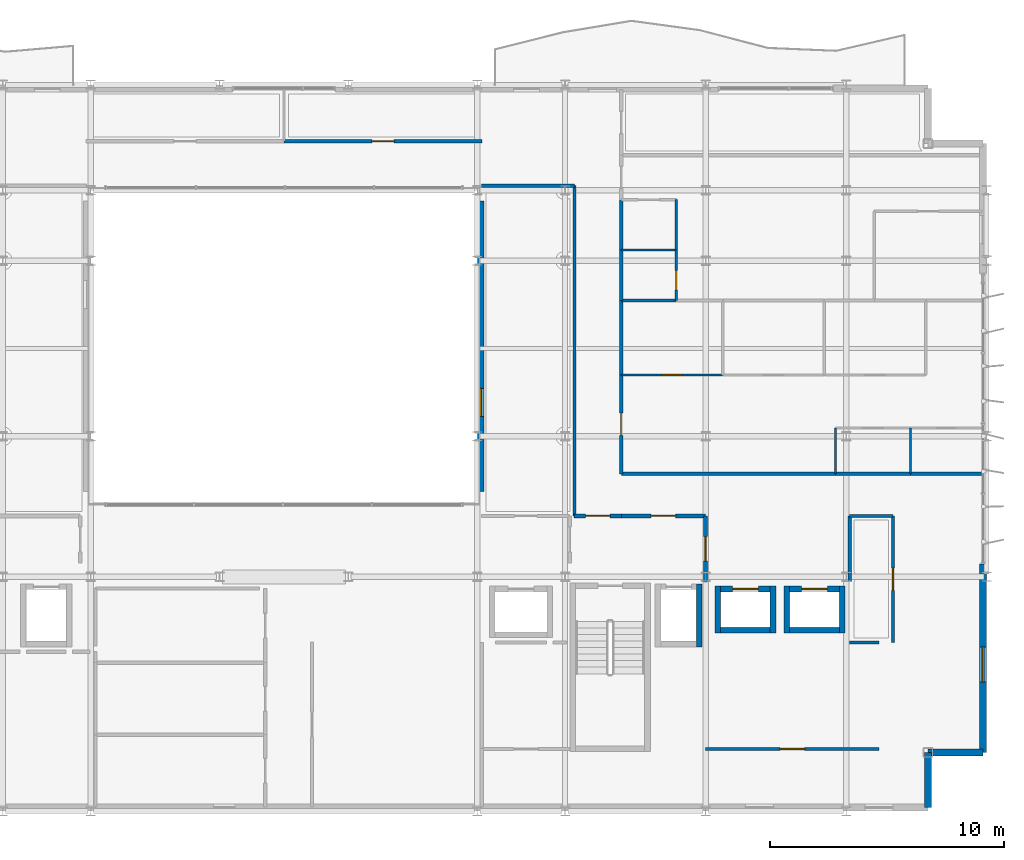
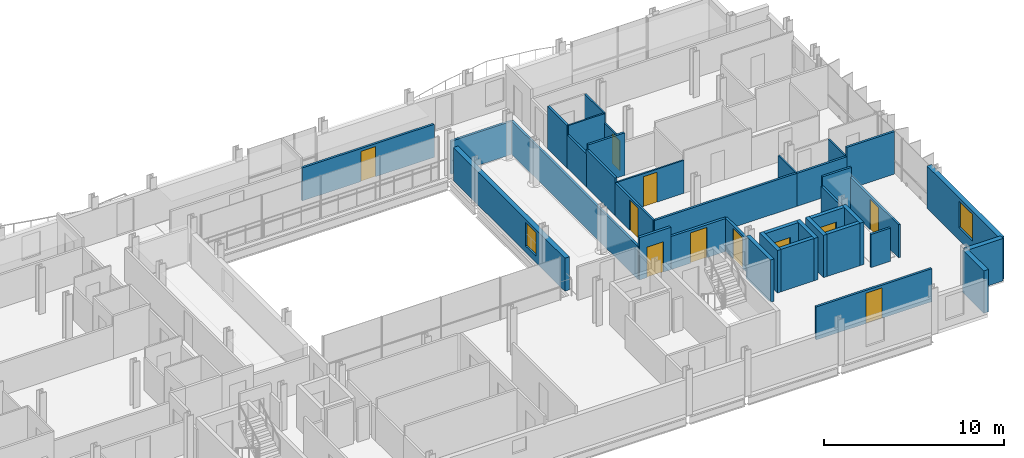
# One storey, part 32 of 38: 38 walls, 11 doors, 2 windows, 13 openings.
"""IFC4 building model written with IfcOpenShell, lengths in metres."""

import ifcopenshell
import ifcopenshell.guid

model = None  # the IFC model being written
_history = None  # IfcOwnerHistory: only IFC2X3 demands one
_inside = {}  # id of a spatial element -> (the spatial element, [elements in it])
_under = {}  # id of a project, library or spatial element -> (it, [spatial elements below it])
_declared = {}  # id of a project -> (the project, [libraries it declares])
_typed = {}  # id of a type object -> (the type object, [elements of that type])
_made_of = {}  # id of a material, layer set ... -> (it, [elements and type objects made of it])


def new_model(schema):
    """Start an empty IFC model of exactly this schema.

    Asked for "IFC4X3", IfcOpenShell would pick the latest addendum, in which some entities
    have other attributes; the version numbers below select the first issue.
    IFC2X3 requires an IfcOwnerHistory on every rooted entity: one is made here for all.
    """
    global model, _history
    if schema == "IFC4X3":
        model = ifcopenshell.file(schema_version=(4, 3, 0, 0))
    else:
        model = ifcopenshell.file(schema=schema)
    _inside.clear()
    _under.clear()
    _declared.clear()
    _typed.clear()
    _made_of.clear()
    _history = None
    if model.schema == "IFC2X3":
        org = make("IfcOrganization", Name="unknown")
        user = make(
            "IfcPersonAndOrganization",
            ThePerson=make("IfcPerson", FamilyName="unknown"),
            TheOrganization=org,
        )
        app = make(
            "IfcApplication",
            ApplicationDeveloper=org,
            Version="unknown",
            ApplicationFullName="unknown",
            ApplicationIdentifier="unknown",
        )
        _history = make(
            "IfcOwnerHistory",
            OwningUser=user,
            OwningApplication=app,
            ChangeAction="ADDED",
            CreationDate=0,
        )
    return model


def make(cls, **values):
    """One entity of the class cls with the attributes given. An attribute that is None is left unset."""
    return model.create_entity(
        cls, **{name: value for name, value in values.items() if value is not None}
    )


def rooted(cls, **values):
    """An entity with a GlobalId (a new one), such as an element, a storey or a relation."""
    return make(cls, GlobalId=ifcopenshell.guid.new(), OwnerHistory=_history, **values)


def si_unit(unit_type, name, prefix=None):
    """IfcSIUnit, for example si_unit("LENGTHUNIT", "METRE", prefix="MILLI")."""
    return make("IfcSIUnit", UnitType=unit_type, Prefix=prefix, Name=name)


def assignment(units):
    """IfcUnitAssignment: the units of a project."""
    return None if units is None else make("IfcUnitAssignment", Units=units)


def point(xyz):
    """IfcCartesianPoint."""
    return None if xyz is None else make("IfcCartesianPoint", Coordinates=xyz)


def direction(xyz):
    """IfcDirection."""
    return None if xyz is None else make("IfcDirection", DirectionRatios=xyz)


def frame(location, z_axis=None, x_axis=None):
    """IfcAxis2Placement3D, a coordinate frame: its origin and axes. An axis left out is left unset."""
    return make(
        "IfcAxis2Placement3D",
        Location=point(location),
        Axis=direction(z_axis),
        RefDirection=direction(x_axis),
    )


def frame_2d(location, x_axis=None):
    """IfcAxis2Placement2D, a coordinate frame in the plane: its origin and x axis."""
    return make(
        "IfcAxis2Placement2D", Location=point(location), RefDirection=direction(x_axis)
    )


def origin():
    """The frame at (0, 0, 0) with its axes left unset."""
    return frame((0.0, 0.0, 0.0))


def place(relative_to, where):
    """IfcLocalPlacement: puts the frame where relative to a parent placement (None: the world)."""
    return make(
        "IfcLocalPlacement", PlacementRelTo=relative_to, RelativePlacement=where
    )


def context(
    kind, dimensions, precision=None, world=None, true_north=None, identifier=None
):
    """IfcGeometricRepresentationContext, for example the 3D "Model" context."""
    return make(
        "IfcGeometricRepresentationContext",
        ContextIdentifier=identifier,
        ContextType=kind,
        CoordinateSpaceDimension=dimensions,
        Precision=precision,
        WorldCoordinateSystem=world,
        TrueNorth=true_north,
    )


def subcontext(parent, identifier, kind, view, scale=None):
    """IfcGeometricRepresentationSubContext, for example "Body" below "Model"."""
    return make(
        "IfcGeometricRepresentationSubContext",
        ContextIdentifier=identifier,
        ContextType=kind,
        ParentContext=parent,
        TargetScale=scale,
        TargetView=view,
    )


def project(units=None, contexts=None):
    """IfcProject with its units and contexts."""
    return rooted(
        "IfcProject",
        Name="project",
        RepresentationContexts=contexts,
        UnitsInContext=assignment(units),
    )


def spatial(cls, under=None, at=None, **own):
    """A site, building, storey or space (cls), placed at a placement, below another one or the project."""
    s = rooted(cls, ObjectPlacement=at, **own)
    if under is not None:
        _under.setdefault(under.id(), (under, []))[1].append(s)
    return s


def profile(cls, at=None, kind="AREA", **sizes):
    """A parametric profile (cls). Its sizes go by their IFC names, for example OverallWidth=200.0."""
    return make(cls, ProfileType=kind, Position=at, **sizes)


def rectangle(**sizes):
    """IfcRectangleProfileDef."""
    return profile("IfcRectangleProfileDef", **sizes)


def extrude(swept, where, along, depth):
    """IfcExtrudedAreaSolid: the profile swept, set in the frame where, extruded along a direction by depth."""
    return make(
        "IfcExtrudedAreaSolid",
        SweptArea=swept,
        Position=where,
        ExtrudedDirection=direction(along),
        Depth=depth,
    )


def shape(context_of_items, identifier, shape_type, items):
    """IfcShapeRepresentation: the items that make up one representation, for example the "Body"."""
    return make(
        "IfcShapeRepresentation",
        ContextOfItems=context_of_items,
        RepresentationIdentifier=identifier,
        RepresentationType=shape_type,
        Items=items,
    )


def material(Name=None, Category=None):
    """IfcMaterial."""
    return make("IfcMaterial", Name=Name, Category=Category)


def layer(
    of_material, thickness, ventilated=None, Name=None, Category=None, Priority=None
):
    """IfcMaterialLayer: one layer of a wall or slab, of a material (None: an air gap)."""
    return make(
        "IfcMaterialLayer",
        Material=of_material,
        LayerThickness=thickness,
        IsVentilated=ventilated,
        Name=Name,
        Category=Category,
        Priority=Priority,
    )


def layer_set(layers, Name=None):
    """IfcMaterialLayerSet."""
    return make("IfcMaterialLayerSet", MaterialLayers=layers, LayerSetName=Name)


def made_of(thing, what):
    """Note that an element or type object is made of a material, layer set ...; save() writes the relation."""
    if what is not None:
        _made_of.setdefault(what.id(), (what, []))[1].append(thing)
    return thing


def type_object(cls, material=None, **own):
    """A type object (cls), such as IfcWallType, which elements share."""
    return made_of(rooted(cls, **own), material)


def element(
    cls,
    number,
    at=None,
    inside=None,
    cuts=None,
    type_object=None,
    material=None,
    context=None,
    identifier="Body",
    shape_type=None,
    held_by="IfcProductDefinitionShape",
    body=None,
    shapes=None,
    **own,
):
    """One element of the class cls, such as IfcWall. Its Tag is "e" and its number.

    at: its placement. inside: the storey or other place that contains it. cuts: it is an
    opening in that element (IfcRelVoidsElement). A single representation is given by context,
    identifier, shape_type and body (its items); several are given by shapes. held_by: the class
    of the entity that holds the representations. save() writes the other relations.
    """
    e = rooted(cls, Tag="e%d" % number, ObjectPlacement=at, **own)
    if body is not None:
        shapes = [shape(context, identifier, shape_type, body)]
    if shapes is not None:
        e.Representation = make(held_by, Representations=shapes)
    if inside is not None:
        _inside.setdefault(inside.id(), (inside, []))[1].append(e)
    if cuts is not None:
        rooted(
            "IfcRelVoidsElement", RelatingBuildingElement=cuts, RelatedOpeningElement=e
        )
    if type_object is not None:
        _typed.setdefault(type_object.id(), (type_object, []))[1].append(e)
    return made_of(e, material)


def fill(opening, filler):
    """IfcRelFillsElement: the door or window that sits in an opening."""
    return rooted(
        "IfcRelFillsElement",
        RelatingOpeningElement=opening,
        RelatedBuildingElement=filler,
    )


def aggregate(whole, parts):
    """IfcRelAggregates: a whole, such as a stair, and the parts it consists of."""
    return rooted("IfcRelAggregates", RelatingObject=whole, RelatedObjects=parts)


def save(model, path):
    """Write the relations noted so far, then the file.

    IfcRelAggregates (storeys below a building ...), IfcRelContainedInSpatialStructure (elements
    in a storey), IfcRelDefinesByType, IfcRelAssociatesMaterial and IfcRelDeclares: one each for
    every whole, place, type object, material and project.
    """
    for whole, parts in _under.values():
        aggregate(whole, parts)
    for where, things in _inside.values():
        rooted(
            "IfcRelContainedInSpatialStructure",
            RelatedElements=things,
            RelatingStructure=where,
        )
    for kind, things in _typed.values():
        rooted("IfcRelDefinesByType", RelatedObjects=things, RelatingType=kind)
    for what, things in _made_of.values():
        rooted("IfcRelAssociatesMaterial", RelatedObjects=things, RelatingMaterial=what)
    for by, libraries in _declared.values():
        rooted("IfcRelDeclares", RelatingContext=by, RelatedDefinitions=libraries)
    model.write(path)


model = new_model("IFC4")

# Units and contexts
model_context = context("Model", 3, precision=1e-05, world=origin(), true_north=direction((0.0, 1.0)))
body_context = subcontext(model_context, "Body", "Model", "MODEL_VIEW")
ifc_project = project(units=[si_unit("LENGTHUNIT", "METRE"), si_unit("AREAUNIT", "SQUARE_METRE"), si_unit("VOLUMEUNIT", "CUBIC_METRE"), si_unit("PLANEANGLEUNIT", "RADIAN"), si_unit("MASSUNIT", "GRAM", prefix="KILO")], contexts=[model_context])

# Site, building, storey
site_placement = place(None, origin())
site = spatial("IfcSite", under=ifc_project, at=site_placement, CompositionType="ELEMENT")
building_placement = place(site_placement, origin())
building = spatial("IfcBuilding", under=site, at=building_placement, Name="Brevholm Reach", CompositionType="ELEMENT")
storey_placement = place(building_placement, frame((0.0, 0.0, 166.60009765625)))
storey = spatial("IfcBuildingStorey", under=building, at=storey_placement, Name="L50", CompositionType="ELEMENT", Elevation=166.60009765625)

# Walls
ifc_material_1 = material(Name="Concrete C45/55", Category="concrete")
ifc_layer_1 = layer(ifc_material_1, 0.239990234375)
ifc_layer_set_1 = layer_set([ifc_layer_1], Name="Concrete C45/55")
wall_type_1 = type_object("IfcWallType", Name="WAL-COR-240", PredefinedType="SHEAR", material=ifc_layer_set_1)
wall_1_placement = place(storey_placement, frame((47.72998046875, 7.0, 0.0), z_axis=(0.0, 0.0, 1.0), x_axis=(0.0, 1.0, 0.0)))
element("IfcWall", 1, at=wall_1_placement, inside=storey, type_object=wall_type_1, Name="L50 Lift FFL-2 Shaft Wall E", PredefinedType="SHEAR", context=body_context, shape_type="SweptSolid", body=[
    extrude(rectangle(XDim=2.699951171875, YDim=0.239990234375, at=frame_2d((1.35009765625, 0.0))), origin(), (0.0, 0.0, 1.0), 2.8798828125),
])
for number, where, z_axis, x_axis, name in (
    (2, (48.52001953125, 7.60009765625, 0.0), (0.0, 0.0, 1.0), (0.0, 1.0, 0.0), "L50 Lift PL-H1 Shaft Wall W"),
    (3, (50.8798828125, 7.60009765625, 0.0), (0.0, 0.0, 1.0), (0.0, 1.0, 0.0), "L50 Lift PL-H1 Shaft Wall E"),
):
    element("IfcWall", number, at=place(storey_placement, frame(where, z_axis=z_axis, x_axis=x_axis)), inside=storey, type_object=wall_type_1, Name=name, PredefinedType="SHEAR", context=body_context, shape_type="SweptSolid", body=[
        extrude(rectangle(XDim=2.0, YDim=0.239990234375, at=frame_2d((1.0, 0.0))), origin(), (0.0, 0.0, 1.0), 2.8798828125),
    ])
wall_2_placement = place(storey_placement, frame((48.639892578125, 7.719970703125, 0.0), z_axis=(0.0, 0.0, 1.0), x_axis=(1.0, 0.0, 0.0)))
element("IfcWall", 4, at=wall_2_placement, inside=storey, type_object=wall_type_1, Name="L50 Lift PL-H1 Shaft Wall S", PredefinedType="SHEAR", context=body_context, shape_type="SweptSolid", body=[
    extrude(rectangle(XDim=2.1201171875, YDim=0.239990234375, at=frame_2d((1.06005859375, 0.0))), origin(), (0.0, 0.0, 1.0), 2.8798828125),
])

# Wall, opening, door
wall_3_placement = place(storey_placement, frame((48.639892578125, 9.47998046875, 0.0), z_axis=(0.0, 0.0, 1.0), x_axis=(1.0, 0.0, 0.0)))
wall_3 = element("IfcWall", 5, at=wall_3_placement, inside=storey, type_object=wall_type_1, Name="L50 Lift PL-H1 Shaft Wall N", PredefinedType="SHEAR", context=body_context, shape_type="SweptSolid", body=[
    extrude(rectangle(XDim=2.1201171875, YDim=0.239990234375, at=frame_2d((1.06005859375, 0.0))), origin(), (0.0, 0.0, 1.0), 2.8798828125),
])
opening_1_placement = place(wall_3_placement, frame((0.510009765625, 0.0, 0.0)))
opening_1 = element("IfcOpeningElement", 6, at=opening_1_placement, cuts=wall_3, Name="Opening LD-PL-H1", PredefinedType="OPENING", context=body_context, shape_type="SweptSolid", body=[
    extrude(rectangle(XDim=1.10009765625, YDim=2.06005859375, at=frame_2d((0.550048828125, 1.030029296875))), frame((0.0, 0.1298828125, 0.0), z_axis=(0.0, -1.0, 0.0), x_axis=(1.0, 0.0, 0.0)), (0.0, 0.0, 1.0), 0.260009765625),
])
ifc_material_2 = material(Name="Brushed Stainless Steel Fire-Rated Sliding Lift Door", Category="steel")
door_type_1 = type_object("IfcDoorType", Name="DOR-LFT-1100", OperationType="NOTDEFINED", PredefinedType="DOOR", material=ifc_material_2)
door_1_placement = place(opening_1_placement, origin())
door_1 = element("IfcDoor", 7, at=door_1_placement, inside=storey, type_object=door_type_1, Name="L50 Lift PL-H1 Sliding Landing Door", OperationType="SLIDING_TO_LEFT", OverallHeight=2.06005859375, OverallWidth=1.10009765625, PredefinedType="DOOR", context=body_context, shape_type="SweptSolid", body=[
    extrude(rectangle(XDim=1.10009765625, YDim=2.06005859375, at=frame_2d((0.550048828125, 1.030029296875))), frame((0.0, 0.02490234375, 0.0), z_axis=(0.0, -1.0, 0.0), x_axis=(1.0, 0.0, 0.0)), (0.0, 0.0, 1.0), 0.050048828125),
])
fill(opening_1, door_1)

# Walls
for number, where, z_axis, x_axis, name in (
    (8, (51.469970703125, 7.60009765625, 0.0), (0.0, 0.0, 1.0), (0.0, 1.0, 0.0), "L50 Lift PL-H2 Shaft Wall W"),
    (9, (53.830078125, 7.60009765625, 0.0), (0.0, 0.0, 1.0), (0.0, 1.0, 0.0), "L50 Lift PL-H2 Shaft Wall E"),
):
    element("IfcWall", number, at=place(storey_placement, frame(where, z_axis=z_axis, x_axis=x_axis)), inside=storey, type_object=wall_type_1, Name=name, PredefinedType="SHEAR", context=body_context, shape_type="SweptSolid", body=[
        extrude(rectangle(XDim=2.0, YDim=0.239990234375, at=frame_2d((1.0, 0.0))), origin(), (0.0, 0.0, 1.0), 2.8798828125),
    ])
wall_4_placement = place(storey_placement, frame((51.590087890625, 7.719970703125, 0.0), z_axis=(0.0, 0.0, 1.0), x_axis=(1.0, 0.0, 0.0)))
element("IfcWall", 10, at=wall_4_placement, inside=storey, type_object=wall_type_1, Name="L50 Lift PL-H2 Shaft Wall S", PredefinedType="SHEAR", context=body_context, shape_type="SweptSolid", body=[
    extrude(rectangle(XDim=2.119873046875, YDim=0.239990234375, at=frame_2d((1.06005859375, 0.0))), origin(), (0.0, 0.0, 1.0), 2.8798828125),
])

# Wall, opening, door
wall_5_placement = place(storey_placement, frame((51.590087890625, 9.47998046875, 0.0), z_axis=(0.0, 0.0, 1.0), x_axis=(1.0, 0.0, 0.0)))
wall_5 = element("IfcWall", 11, at=wall_5_placement, inside=storey, type_object=wall_type_1, Name="L50 Lift PL-H2 Shaft Wall N", PredefinedType="SHEAR", context=body_context, shape_type="SweptSolid", body=[
    extrude(rectangle(XDim=2.119873046875, YDim=0.239990234375, at=frame_2d((1.06005859375, 0.0))), origin(), (0.0, 0.0, 1.0), 2.8798828125),
])
opening_2_placement = place(wall_5_placement, frame((0.510009765625, 0.0, 0.0)))
opening_2 = element("IfcOpeningElement", 12, at=opening_2_placement, cuts=wall_5, Name="Opening LD-PL-H2", PredefinedType="OPENING", context=body_context, shape_type="SweptSolid", body=[
    extrude(rectangle(XDim=1.10009765625, YDim=2.06005859375, at=frame_2d((0.550048828125, 1.030029296875))), frame((0.0, 0.1298828125, 0.0), z_axis=(0.0, -1.0, 0.0), x_axis=(1.0, 0.0, 0.0)), (0.0, 0.0, 1.0), 0.260009765625),
])
door_2_placement = place(opening_2_placement, origin())
door_2 = element("IfcDoor", 13, at=door_2_placement, inside=storey, type_object=door_type_1, Name="L50 Lift PL-H2 Sliding Landing Door", OperationType="SLIDING_TO_RIGHT", OverallHeight=2.06005859375, OverallWidth=1.10009765625, PredefinedType="DOOR", context=body_context, shape_type="SweptSolid", body=[
    extrude(rectangle(XDim=1.10009765625, YDim=2.06005859375, at=frame_2d((0.550048828125, 1.030029296875))), frame((0.0, 0.02490234375, 0.0), z_axis=(0.0, -1.0, 0.0), x_axis=(1.0, 0.0, 0.0)), (0.0, 0.0, 1.0), 0.050048828125),
])
fill(opening_2, door_2)

# Walls
ifc_material_3 = material(Name="Concrete C40/50", Category="concrete")
ifc_layer_2 = layer(ifc_material_3, 0.300048828125)
ifc_layer_set_2 = layer_set([ifc_layer_2], Name="Concrete C40/50")
wall_type_2 = type_object("IfcWallType", Name="WAL-EXT-300", PredefinedType="STANDARD", material=ifc_layer_set_2)
for number, where, z_axis, x_axis, name in (
    (14, (57.5, 0.14990234375, 0.0), (0.0, 0.0, 1.0), (0.0, 1.0, 0.0), "L50 Facade Wall WAL-L50-CSE1"),
    (15, (57.5, 2.5, 0.0), (0.0, 0.0, 1.0), (1.0, 0.0, 0.0), "L50 Facade Wall WAL-L50-CSE2"),
):
    element("IfcWall", number, at=place(storey_placement, frame(where, z_axis=z_axis, x_axis=x_axis)), inside=storey, type_object=wall_type_2, Name=name, PredefinedType="STANDARD", context=body_context, shape_type="SweptSolid", body=[
        extrude(rectangle(XDim=2.35009765625, YDim=0.300048828125, at=frame_2d((1.175048828125, 0.0))), origin(), (0.0, 0.0, 1.0), 2.8798828125),
    ])

# Wall, opening, window
wall_6_placement = place(storey_placement, frame((59.85009765625, 2.5, 0.0), z_axis=(0.0, 0.0, 1.0), x_axis=(0.0, 1.0, 0.0)))
wall_6 = element("IfcWall", 16, at=wall_6_placement, inside=storey, type_object=wall_type_2, Name="L50 Facade Wall WAL-L50-E-S", PredefinedType="STANDARD", context=body_context, shape_type="SweptSolid", body=[
    extrude(rectangle(XDim=8.050048828125, YDim=0.300048828125, at=frame_2d((4.02490234375, 0.0))), origin(), (0.0, 0.0, 1.0), 2.8798828125),
])
opening_3_placement = place(wall_6_placement, frame((3.0, 0.0, 0.860107421875)))
opening_3 = element("IfcOpeningElement", 17, at=opening_3_placement, cuts=wall_6, Name="Opening WN-05", PredefinedType="OPENING", context=body_context, shape_type="SweptSolid", body=[
    extrude(rectangle(XDim=1.5, YDim=1.800048828125, at=frame_2d((0.75, 0.89990234375))), frame((0.0, 0.159912109375, 0.0), z_axis=(0.0, -1.0, 0.0), x_axis=(1.0, 0.0, 0.0)), (0.0, 0.0, 1.0), 0.320068359375),
])
ifc_material_4 = material(Name="Dark Anodised Aluminium and Solar-Control IGU Glass", Category="aluminium")
window_type_1 = type_object("IfcWindowType", Name="WIN-RES-1500", PartitioningType="SINGLE_PANEL", PredefinedType="WINDOW", material=ifc_material_4)
window_1_placement = place(opening_3_placement, origin())
window_1 = element("IfcWindow", 18, at=window_1_placement, inside=storey, type_object=window_type_1, Name="L50 Window WIN-L50-ES-1", OverallHeight=1.800048828125, OverallWidth=1.5, PartitioningType="SINGLE_PANEL", PredefinedType="WINDOW", context=body_context, shape_type="SweptSolid", body=[
    extrude(rectangle(XDim=1.5, YDim=1.800048828125, at=frame_2d((0.75, 0.89990234375))), frame((0.0, 0.030029296875, 0.0), z_axis=(0.0, -1.0, 0.0), x_axis=(1.0, 0.0, 0.0)), (0.0, 0.0, 1.0), 0.06005859375),
])
fill(opening_3, window_1)

wall_7_placement = place(storey_placement, frame((38.39990234375, 13.64990234375, 0.0), z_axis=(0.0, 0.0, 1.0), x_axis=(0.0, 1.0, 0.0)))
wall_7 = element("IfcWall", 19, at=wall_7_placement, inside=storey, type_object=wall_type_2, Name="L50 Facade Wall WAL-L50-AT-E", PredefinedType="STANDARD", context=body_context, shape_type="SweptSolid", body=[
    extrude(rectangle(XDim=12.400146484375, YDim=0.300048828125, at=frame_2d((6.2001953125, 0.0))), origin(), (0.0, 0.0, 1.0), 2.24267578125),
])
opening_4_placement = place(wall_7_placement, frame((3.199951171875, 0.0, 0.423095703125)))
opening_4 = element("IfcOpeningElement", 20, at=opening_4_placement, cuts=wall_7, Name="Opening WN-08", PredefinedType="OPENING", context=body_context, shape_type="SweptSolid", body=[
    extrude(rectangle(XDim=1.199951171875, YDim=1.60009765625, at=frame_2d((0.60009765625, 0.800048828125))), frame((0.0, 0.159912109375, 0.0), z_axis=(0.0, -1.0, 0.0), x_axis=(1.0, 0.0, 0.0)), (0.0, 0.0, 1.0), 0.320068359375),
])
ifc_material_5 = material(Name="Dark Anodised Aluminium and Solar-Control IGU Glass", Category="aluminium")
window_type_2 = type_object("IfcWindowType", Name="WIN-RES-1200", PartitioningType="SINGLE_PANEL", PredefinedType="WINDOW", material=ifc_material_5)
window_2_placement = place(opening_4_placement, origin())
window_2 = element("IfcWindow", 21, at=window_2_placement, inside=storey, type_object=window_type_2, Name="L50 Window WIN-L50-AT-E1", OverallHeight=1.60009765625, OverallWidth=1.199951171875, PartitioningType="SINGLE_PANEL", PredefinedType="WINDOW", context=body_context, shape_type="SweptSolid", body=[
    extrude(rectangle(XDim=1.199951171875, YDim=1.60009765625, at=frame_2d((0.60009765625, 0.800048828125))), frame((0.0, 0.030029296875, 0.0), z_axis=(0.0, -1.0, 0.0), x_axis=(1.0, 0.0, 0.0)), (0.0, 0.0, 1.0), 0.06005859375),
])
fill(opening_4, window_2)

# Walls
ifc_material_6 = material(Name="Moisture-Resistant Acoustic Gypsum Stud Partition 100 mm", Category="gypsum")
ifc_layer_3 = layer(ifc_material_6, 0.10009765625)
ifc_layer_set_3 = layer_set([ifc_layer_3], Name="Moisture-Resistant Acoustic Gypsum Stud Partition 100 mm")
wall_type_3 = type_object("IfcWallType", Name="WAL-PRT-100", PredefinedType="PARTITIONING", material=ifc_layer_set_3)
for number, where, z_axis, x_axis, name in (
    (22, (56.75, 14.404052734375, 0.0), (0.0, 0.0, 1.0), (0.0, 1.0, 0.0), "L50 Internal Partition 086"),
    (23, (53.550048828125, 14.404052734375, 0.0), (0.0, 0.0, 1.0), (0.0, 1.0, 0.0), "L50 Internal Partition 089"),
):
    element("IfcWall", number, at=place(storey_placement, frame(where, z_axis=z_axis, x_axis=x_axis)), inside=storey, type_object=wall_type_3, Name=name, PredefinedType="PARTITIONING", context=body_context, shape_type="SweptSolid", body=[
        extrude(rectangle(XDim=1.946044921875, YDim=0.10009765625, at=frame_2d((0.97314453125, 0.0))), origin(), (0.0, 0.0, 1.0), 2.24267578125),
    ])

# Wall, opening, door
wall_8_placement = place(storey_placement, frame((44.404052734375, 18.617919921875, 0.0), z_axis=(0.0, 0.0, 1.0), x_axis=(1.0, 0.0, 0.0)))
wall_8 = element("IfcWall", 24, at=wall_8_placement, inside=storey, type_object=wall_type_3, Name="L50 Internal Partition 091", PredefinedType="PARTITIONING", context=body_context, shape_type="SweptSolid", body=[
    extrude(rectangle(XDim=4.328857421875, YDim=0.10009765625, at=frame_2d((2.16455078125, 0.0))), origin(), (0.0, 0.0, 1.0), 2.24267578125),
])
opening_5_placement = place(wall_8_placement, frame((1.724609375, 0.0, 0.0)))
opening_5 = element("IfcOpeningElement", 25, at=opening_5_placement, cuts=wall_8, Name="Opening ID-01", PredefinedType="OPENING", context=body_context, shape_type="SweptSolid", body=[
    extrude(rectangle(XDim=0.8798828125, YDim=2.0400390625, at=frame_2d((0.43994140625, 1.02001953125))), frame((0.0, 0.06005859375, 0.0), z_axis=(0.0, -1.0, 0.0), x_axis=(1.0, 0.0, 0.0)), (0.0, 0.0, 1.0), 0.1201171875),
])
ifc_material_7 = material(Name="Lacquered Ash Solid-Core Acoustic Internal Door", Category="timber")
door_type_2 = type_object("IfcDoorType", Name="DOR-INT-880", OperationType="NOTDEFINED", PredefinedType="DOOR", material=ifc_material_7)
door_3_placement = place(opening_5_placement, origin())
door_3 = element("IfcDoor", 26, at=door_3_placement, inside=storey, type_object=door_type_2, Name="L50 Internal Door 040", OperationType="SINGLE_SWING_RIGHT", OverallHeight=2.0400390625, OverallWidth=0.8798828125, PredefinedType="DOOR", context=body_context, shape_type="SweptSolid", body=[
    extrude(rectangle(XDim=0.8798828125, YDim=2.0400390625, at=frame_2d((0.43994140625, 1.02001953125))), frame((0.0, 0.02490234375, 0.0), z_axis=(0.0, -1.0, 0.0), x_axis=(1.0, 0.0, 0.0)), (0.0, 0.0, 1.0), 0.050048828125),
])
fill(opening_5, door_3)

# Wall
wall_9_placement = place(storey_placement, frame((44.404052734375, 23.949951171875, 0.0), z_axis=(0.0, 0.0, 1.0), x_axis=(1.0, 0.0, 0.0)))
element("IfcWall", 27, at=wall_9_placement, inside=storey, type_object=wall_type_3, Name="L50 Internal Partition 102", PredefinedType="PARTITIONING", context=body_context, shape_type="SweptSolid", body=[
    extrude(rectangle(XDim=2.345947265625, YDim=0.10009765625, at=frame_2d((1.1728515625, 0.0))), origin(), (0.0, 0.0, 1.0), 2.8798828125),
])

# Wall, opening, door
wall_10_placement = place(storey_placement, frame((46.75, 21.803955078125, 0.0), z_axis=(0.0, 0.0, 1.0), x_axis=(0.0, 1.0, 0.0)))
wall_10 = element("IfcWall", 28, at=wall_10_placement, inside=storey, type_object=wall_type_3, Name="L50 Internal Partition 103", PredefinedType="PARTITIONING", context=body_context, shape_type="SweptSolid", body=[
    extrude(rectangle(XDim=2.14599609375, YDim=0.10009765625, at=frame_2d((1.072998046875, 0.0))), origin(), (0.0, 0.0, 1.0), 2.24267578125),
])
opening_6_placement = place(wall_10_placement, frame((0.443115234375, 0.0, 0.0)))
opening_6 = element("IfcOpeningElement", 29, at=opening_6_placement, cuts=wall_10, Name="Opening ID-03", PredefinedType="OPENING", context=body_context, shape_type="SweptSolid", body=[
    extrude(rectangle(XDim=0.820068359375, YDim=2.02001953125, at=frame_2d((0.41015625, 1.010009765625))), frame((0.0, 0.06005859375, 0.0), z_axis=(0.0, -1.0, 0.0), x_axis=(1.0, 0.0, 0.0)), (0.0, 0.0, 1.0), 0.1201171875),
])
ifc_material_8 = material(Name="Moisture-Resistant Painted Timber Internal Bathroom Door", Category="wood")
door_type_3 = type_object("IfcDoorType", Name="DOR-BATH-820", OperationType="NOTDEFINED", PredefinedType="DOOR", material=ifc_material_8)
door_4_placement = place(opening_6_placement, origin())
door_4 = element("IfcDoor", 30, at=door_4_placement, inside=storey, type_object=door_type_3, Name="L50 Internal Door 043", OperationType="SINGLE_SWING_LEFT", OverallHeight=2.02001953125, OverallWidth=0.820068359375, PredefinedType="DOOR", context=body_context, shape_type="SweptSolid", body=[
    extrude(rectangle(XDim=0.820068359375, YDim=2.02001953125, at=frame_2d((0.41015625, 1.010009765625))), frame((0.0, 0.02490234375, 0.0), z_axis=(0.0, -1.0, 0.0), x_axis=(1.0, 0.0, 0.0)), (0.0, 0.0, 1.0), 0.050048828125),
])
fill(opening_6, door_4)

# Wall
wall_11_placement = place(storey_placement, frame((46.75, 23.9541015625, 0.0), z_axis=(0.0, 0.0, 1.0), x_axis=(0.0, 1.0, 0.0)))
element("IfcWall", 31, at=wall_11_placement, inside=storey, type_object=wall_type_3, Name="L50 Internal Partition 104", PredefinedType="PARTITIONING", context=body_context, shape_type="SweptSolid", body=[
    extrude(rectangle(XDim=2.14599609375, YDim=0.10009765625, at=frame_2d((1.072998046875, 0.0))), origin(), (0.0, 0.0, 1.0), 2.8798828125),
])

# Wall, opening, door
ifc_material_9 = material(Name="Twin-Stud Acoustic Fire-Rated Gypsum Partition 140 mm", Category="gypsum")
ifc_layer_4 = layer(ifc_material_9, 0.139892578125)
ifc_layer_set_4 = layer_set([ifc_layer_4], Name="Twin-Stud Acoustic Fire-Rated Gypsum Partition 140 mm")
wall_type_4 = type_object("IfcWallType", Name="WAL-PRT-140", PredefinedType="PARTITIONING", material=ifc_layer_set_4)
wall_12_placement = place(storey_placement, frame((56.0, 7.188720703125, 0.0), z_axis=(0.0, 0.0, 1.0), x_axis=(0.0, 1.0, 0.0)))
wall_12 = element("IfcWall", 32, at=wall_12_placement, inside=storey, type_object=wall_type_4, Name="L50 Internal Partition 012", PredefinedType="PARTITIONING", context=body_context, shape_type="SweptSolid", body=[
    extrude(rectangle(XDim=5.411376953125, YDim=0.139892578125, at=frame_2d((2.70556640625, 0.0))), origin(), (0.0, 0.0, 1.0), 2.24267578125),
])
opening_7_placement = place(wall_12_placement, frame((2.230712890625, 0.0, 0.0)))
opening_7 = element("IfcOpeningElement", 33, at=opening_7_placement, cuts=wall_12, Name="Opening ID-30", PredefinedType="OPENING", context=body_context, shape_type="SweptSolid", body=[
    extrude(rectangle(XDim=0.949951171875, YDim=2.050048828125, at=frame_2d((0.47509765625, 1.02490234375))), frame((0.0, 0.079833984375, 0.0), z_axis=(0.0, -1.0, 0.0), x_axis=(1.0, 0.0, 0.0)), (0.0, 0.0, 1.0), 0.159912109375),
])
ifc_material_10 = material(Name="European Oak Veneered Solid-Core Fire Entrance Door", Category="timber")
door_type_4 = type_object("IfcDoorType", Name="DOR-FLT-FD30S", OperationType="NOTDEFINED", PredefinedType="DOOR", material=ifc_material_10)
door_5_placement = place(opening_7_placement, origin())
door_5 = element("IfcDoor", 34, at=door_5_placement, inside=storey, type_object=door_type_4, Name="L50 Internal Door 005", OperationType="SINGLE_SWING_LEFT", OverallHeight=2.050048828125, OverallWidth=0.949951171875, PredefinedType="DOOR", context=body_context, shape_type="SweptSolid", body=[
    extrude(rectangle(XDim=0.949951171875, YDim=2.050048828125, at=frame_2d((0.47509765625, 1.02490234375))), frame((0.0, 0.02490234375, 0.0), z_axis=(0.0, -1.0, 0.0), x_axis=(1.0, 0.0, 0.0)), (0.0, 0.0, 1.0), 0.050048828125),
])
fill(opening_7, door_5)

wall_13_placement = place(storey_placement, frame((47.98876953125, 2.64990234375, 0.0), z_axis=(0.0, 0.0, 1.0), x_axis=(1.0, 0.0, 0.0)))
wall_13 = element("IfcWall", 35, at=wall_13_placement, inside=storey, type_object=wall_type_4, Name="L50 Internal Partition 014", PredefinedType="PARTITIONING", context=body_context, shape_type="SweptSolid", body=[
    extrude(rectangle(XDim=7.422607421875, YDim=0.139892578125, at=frame_2d((3.71142578125, 0.0))), origin(), (0.0, 0.0, 1.0), 2.24267578125),
])
opening_8_placement = place(wall_13_placement, frame((3.186279296875, 0.0, 0.0)))
opening_8 = element("IfcOpeningElement", 36, at=opening_8_placement, cuts=wall_13, Name="Opening FD-01", PredefinedType="OPENING", context=body_context, shape_type="SweptSolid", body=[
    extrude(rectangle(XDim=1.050048828125, YDim=2.06005859375, at=frame_2d((0.52490234375, 1.030029296875))), frame((0.0, 0.079833984375, 0.0), z_axis=(0.0, -1.0, 0.0), x_axis=(1.0, 0.0, 0.0)), (0.0, 0.0, 1.0), 0.159912109375),
])
ifc_material_11 = material(Name="Hardwood-Lipped Steel-Core Fire and Smoke Door", Category="steel")
door_type_5 = type_object("IfcDoorType", Name="DOR-INT-FD60S", OperationType="NOTDEFINED", PredefinedType="DOOR", material=ifc_material_11)
door_6_placement = place(opening_8_placement, origin())
door_6 = element("IfcDoor", 37, at=door_6_placement, inside=storey, type_object=door_type_5, Name="L50 Internal Door 007", OperationType="SINGLE_SWING_LEFT", OverallHeight=2.06005859375, OverallWidth=1.050048828125, PredefinedType="DOOR", context=body_context, shape_type="SweptSolid", body=[
    extrude(rectangle(XDim=1.050048828125, YDim=2.06005859375, at=frame_2d((0.52490234375, 1.030029296875))), frame((0.0, 0.02490234375, 0.0), z_axis=(0.0, -1.0, 0.0), x_axis=(1.0, 0.0, 0.0)), (0.0, 0.0, 1.0), 0.050048828125),
])
fill(opening_8, door_6)

# Walls
wall_14_placement = place(storey_placement, frame((54.138671875, 7.199951171875, 0.0), z_axis=(0.0, 0.0, 1.0), x_axis=(1.0, 0.0, 0.0)))
element("IfcWall", 38, at=wall_14_placement, inside=storey, type_object=wall_type_4, Name="L50 Internal Partition 019", PredefinedType="PARTITIONING", context=body_context, shape_type="SweptSolid", body=[
    extrude(rectangle(XDim=1.26123046875, YDim=0.139892578125, at=frame_2d((0.630615234375, 0.0))), origin(), (0.0, 0.0, 1.0), 2.24267578125),
])
wall_15_placement = place(storey_placement, frame((54.14990234375, 9.800048828125, 0.0), z_axis=(0.0, 0.0, 1.0), x_axis=(0.0, 1.0, 0.0)))
element("IfcWall", 39, at=wall_15_placement, inside=storey, type_object=wall_type_4, Name="L50 Internal Partition 031", PredefinedType="PARTITIONING", context=body_context, shape_type="SweptSolid", body=[
    extrude(rectangle(XDim=2.800048828125, YDim=0.139892578125, at=frame_2d((1.39990234375, 0.0))), origin(), (0.0, 0.0, 1.0), 2.24267578125),
])
wall_16_placement = place(storey_placement, frame((54.154052734375, 12.60009765625, 0.0), z_axis=(0.0, 0.0, 1.0), x_axis=(1.0, 0.0, 0.0)))
element("IfcWall", 40, at=wall_16_placement, inside=storey, type_object=wall_type_4, Name="L50 Internal Partition 032", PredefinedType="PARTITIONING", context=body_context, shape_type="SweptSolid", body=[
    extrude(rectangle(XDim=1.842041015625, YDim=0.139892578125, at=frame_2d((0.9208984375, 0.0))), origin(), (0.0, 0.0, 1.0), 2.8798828125),
])
wall_17_placement = place(storey_placement, frame((44.39990234375, 18.606689453125, 0.0), z_axis=(0.0, 0.0, 1.0), x_axis=(0.0, 1.0, 0.0)))
element("IfcWall", 41, at=wall_17_placement, inside=storey, type_object=wall_type_4, Name="L50 Internal Partition 042", PredefinedType="PARTITIONING", context=body_context, shape_type="SweptSolid", body=[
    extrude(rectangle(XDim=3.20458984375, YDim=0.139892578125, at=frame_2d((1.602294921875, 0.0))), origin(), (0.0, 0.0, 1.0), 2.551513671875),
])

# Wall, opening, door
wall_18_placement = place(storey_placement, frame((44.39990234375, 14.392578125, 0.0), z_axis=(0.0, 0.0, 1.0), x_axis=(0.0, 1.0, 0.0)))
wall_18 = element("IfcWall", 42, at=wall_18_placement, inside=storey, type_object=wall_type_4, Name="L50 Internal Partition 043", PredefinedType="PARTITIONING", context=body_context, shape_type="SweptSolid", body=[
    extrude(rectangle(XDim=4.232666015625, YDim=0.139892578125, at=frame_2d((2.1162109375, 0.0))), origin(), (0.0, 0.0, 1.0), 2.24267578125),
])
opening_9_placement = place(wall_18_placement, frame((1.641357421875, 0.0, 0.0)))
opening_9 = element("IfcOpeningElement", 43, at=opening_9_placement, cuts=wall_18, Name="Opening ID-30", PredefinedType="OPENING", context=body_context, shape_type="SweptSolid", body=[
    extrude(rectangle(XDim=0.949951171875, YDim=2.050048828125, at=frame_2d((0.47509765625, 1.02490234375))), frame((0.0, 0.079833984375, 0.0), z_axis=(0.0, -1.0, 0.0), x_axis=(1.0, 0.0, 0.0)), (0.0, 0.0, 1.0), 0.159912109375),
])
door_7_placement = place(opening_9_placement, origin())
door_7 = element("IfcDoor", 44, at=door_7_placement, inside=storey, type_object=door_type_4, Name="L50 Internal Door 022", OperationType="SINGLE_SWING_RIGHT", OverallHeight=2.050048828125, OverallWidth=0.949951171875, PredefinedType="DOOR", context=body_context, shape_type="SweptSolid", body=[
    extrude(rectangle(XDim=0.949951171875, YDim=2.050048828125, at=frame_2d((0.47509765625, 1.02490234375))), frame((0.0, 0.02490234375, 0.0), z_axis=(0.0, -1.0, 0.0), x_axis=(1.0, 0.0, 0.0)), (0.0, 0.0, 1.0), 0.050048828125),
])
fill(opening_9, door_7)

# Walls
wall_19_placement = place(storey_placement, frame((44.39990234375, 21.792724609375, 0.0), z_axis=(0.0, 0.0, 1.0), x_axis=(0.0, 1.0, 0.0)))
element("IfcWall", 45, at=wall_19_placement, inside=storey, type_object=wall_type_4, Name="L50 Internal Partition 044", PredefinedType="PARTITIONING", context=body_context, shape_type="SweptSolid", body=[
    extrude(rectangle(XDim=2.16845703125, YDim=0.139892578125, at=frame_2d((1.084228515625, 0.0))), origin(), (0.0, 0.0, 1.0), 2.24267578125),
])
wall_20_placement = place(storey_placement, frame((44.39990234375, 23.942626953125, 0.0), z_axis=(0.0, 0.0, 1.0), x_axis=(0.0, 1.0, 0.0)))
element("IfcWall", 46, at=wall_20_placement, inside=storey, type_object=wall_type_4, Name="L50 Internal Partition 045", PredefinedType="PARTITIONING", context=body_context, shape_type="SweptSolid", body=[
    extrude(rectangle(XDim=2.168701171875, YDim=0.139892578125, at=frame_2d((1.08447265625, 0.0))), origin(), (0.0, 0.0, 1.0), 2.8798828125),
])
wall_21_placement = place(storey_placement, frame((42.39990234375, 12.60400390625, 0.0), z_axis=(0.0, 0.0, 1.0), x_axis=(0.0, 1.0, 0.0)))
element("IfcWall", 47, at=wall_21_placement, inside=storey, type_object=wall_type_4, Name="L50 Internal Partition 047", PredefinedType="PARTITIONING", context=body_context, shape_type="SweptSolid", body=[
    extrude(rectangle(XDim=14.103271484375, YDim=0.139892578125, at=frame_2d((7.0517578125, 0.0))), origin(), (0.0, 0.0, 1.0), 2.24267578125),
])
wall_22_placement = place(storey_placement, frame((56.73876953125, 14.39990234375, 0.0), z_axis=(0.0, 0.0, 1.0), x_axis=(1.0, 0.0, 0.0)))
element("IfcWall", 48, at=wall_22_placement, inside=storey, type_object=wall_type_4, Name="L50 Internal Partition 049", PredefinedType="PARTITIONING", context=body_context, shape_type="SweptSolid", body=[
    extrude(rectangle(XDim=3.072509765625, YDim=0.139892578125, at=frame_2d((1.5361328125, 0.0))), origin(), (0.0, 0.0, 1.0), 2.8798828125),
])
wall_23_placement = place(storey_placement, frame((53.538818359375, 14.39990234375, 0.0), z_axis=(0.0, 0.0, 1.0), x_axis=(1.0, 0.0, 0.0)))
element("IfcWall", 49, at=wall_23_placement, inside=storey, type_object=wall_type_4, Name="L50 Internal Partition 050", PredefinedType="PARTITIONING", context=body_context, shape_type="SweptSolid", body=[
    extrude(rectangle(XDim=3.218505859375, YDim=0.139892578125, at=frame_2d((1.609375, 0.0))), origin(), (0.0, 0.0, 1.0), 2.24267578125),
])
wall_24_placement = place(storey_placement, frame((44.404052734375, 14.39990234375, 0.0), z_axis=(0.0, 0.0, 1.0), x_axis=(1.0, 0.0, 0.0)))
element("IfcWall", 50, at=wall_24_placement, inside=storey, type_object=wall_type_4, Name="L50 Internal Partition 051", PredefinedType="PARTITIONING", context=body_context, shape_type="SweptSolid", body=[
    extrude(rectangle(XDim=9.1533203125, YDim=0.139892578125, at=frame_2d((4.57666015625, 0.0))), origin(), (0.0, 0.0, 1.0), 2.24267578125),
])
wall_25_placement = place(storey_placement, frame((38.438720703125, 26.699951171875, 0.0), z_axis=(0.0, 0.0, 1.0), x_axis=(1.0, 0.0, 0.0)))
element("IfcWall", 51, at=wall_25_placement, inside=storey, type_object=wall_type_4, Name="L50 Internal Partition 053", PredefinedType="PARTITIONING", context=body_context, shape_type="SweptSolid", body=[
    extrude(rectangle(XDim=3.957275390625, YDim=0.139892578125, at=frame_2d((1.978515625, 0.0))), origin(), (0.0, 0.0, 1.0), 2.24267578125),
])

# Wall, opening, door
wall_26_placement = place(storey_placement, frame((29.99267578125, 28.60009765625, 0.0), z_axis=(0.0, 0.0, 1.0), x_axis=(1.0, 0.0, 0.0)))
wall_26 = element("IfcWall", 52, at=wall_26_placement, inside=storey, type_object=wall_type_4, Name="L50 Internal Partition 055", PredefinedType="PARTITIONING", context=body_context, shape_type="SweptSolid", body=[
    extrude(rectangle(XDim=8.464599609375, YDim=0.139892578125, at=frame_2d((4.232421875, 0.0))), origin(), (0.0, 0.0, 1.0), 2.24267578125),
])
opening_10_placement = place(wall_26_placement, frame((3.75732421875, 0.0, 0.0)))
opening_10 = element("IfcOpeningElement", 53, at=opening_10_placement, cuts=wall_26, Name="Opening ID-30", PredefinedType="OPENING", context=body_context, shape_type="SweptSolid", body=[
    extrude(rectangle(XDim=0.949951171875, YDim=2.050048828125, at=frame_2d((0.47509765625, 1.02490234375))), frame((0.0, 0.079833984375, 0.0), z_axis=(0.0, -1.0, 0.0), x_axis=(1.0, 0.0, 0.0)), (0.0, 0.0, 1.0), 0.159912109375),
])
door_8_placement = place(opening_10_placement, origin())
door_8 = element("IfcDoor", 54, at=door_8_placement, inside=storey, type_object=door_type_4, Name="L50 Internal Door 026", OperationType="SINGLE_SWING_RIGHT", OverallHeight=2.050048828125, OverallWidth=0.949951171875, PredefinedType="DOOR", context=body_context, shape_type="SweptSolid", body=[
    extrude(rectangle(XDim=0.949951171875, YDim=2.050048828125, at=frame_2d((0.47509765625, 1.02490234375))), frame((0.0, 0.02490234375, 0.0), z_axis=(0.0, -1.0, 0.0), x_axis=(1.0, 0.0, 0.0)), (0.0, 0.0, 1.0), 0.050048828125),
])
fill(opening_10, door_8)

# Wall
wall_27_placement = place(storey_placement, frame((44.404052734375, 21.800048828125, 0.0), z_axis=(0.0, 0.0, 1.0), x_axis=(1.0, 0.0, 0.0)))
element("IfcWall", 55, at=wall_27_placement, inside=storey, type_object=wall_type_4, Name="L50 Internal Partition 092", PredefinedType="PARTITIONING", context=body_context, shape_type="SweptSolid", body=[
    extrude(rectangle(XDim=2.357177734375, YDim=0.139892578125, at=frame_2d((1.1787109375, 0.0))), origin(), (0.0, 0.0, 1.0), 2.8798828125),
])

# Wall, opening, door
ifc_material_12 = material(Name="Twin-Frame Fire-Rated Gypsum Board and Mineral Wool 160 mm", Category="gypsum")
ifc_layer_5 = layer(ifc_material_12, 0.159912109375)
ifc_layer_set_5 = layer_set([ifc_layer_5], Name="Twin-Frame Fire-Rated Gypsum Board and Mineral Wool 160 mm")
wall_type_5 = type_object("IfcWallType", Name="WAL-PRT-160", PredefinedType="PARTITIONING", material=ifc_layer_set_5)
wall_28_placement = place(storey_placement, frame((48.0, 9.788818359375, 0.0), z_axis=(0.0, 0.0, 1.0), x_axis=(0.0, 1.0, 0.0)))
wall_28 = element("IfcWall", 56, at=wall_28_placement, inside=storey, type_object=wall_type_5, Name="L50 Internal Partition 027", PredefinedType="PARTITIONING", context=body_context, shape_type="SweptSolid", body=[
    extrude(rectangle(XDim=2.811279296875, YDim=0.159912109375, at=frame_2d((1.40576171875, 0.0))), origin(), (0.0, 0.0, 1.0), 2.24267578125),
])
opening_11_placement = place(wall_28_placement, frame((0.880615234375, 0.0, 0.0)))
opening_11 = element("IfcOpeningElement", 57, at=opening_11_placement, cuts=wall_28, Name="Opening FD-01", PredefinedType="OPENING", context=body_context, shape_type="SweptSolid", body=[
    extrude(rectangle(XDim=1.050048828125, YDim=2.06005859375, at=frame_2d((0.52490234375, 1.030029296875))), frame((0.0, 0.08984375, 0.0), z_axis=(0.0, -1.0, 0.0), x_axis=(1.0, 0.0, 0.0)), (0.0, 0.0, 1.0), 0.179931640625),
])
door_9_placement = place(opening_11_placement, origin())
door_9 = element("IfcDoor", 58, at=door_9_placement, inside=storey, type_object=door_type_5, Name="L50 Internal Door 013", OperationType="SINGLE_SWING_LEFT", OverallHeight=2.06005859375, OverallWidth=1.050048828125, PredefinedType="DOOR", context=body_context, shape_type="SweptSolid", body=[
    extrude(rectangle(XDim=1.050048828125, YDim=2.06005859375, at=frame_2d((0.52490234375, 1.030029296875))), frame((0.0, 0.02490234375, 0.0), z_axis=(0.0, -1.0, 0.0), x_axis=(1.0, 0.0, 0.0)), (0.0, 0.0, 1.0), 0.050048828125),
])
fill(opening_11, door_9)

wall_29_placement = place(storey_placement, frame((42.388671875, 12.60009765625, 0.0), z_axis=(0.0, 0.0, 1.0), x_axis=(1.0, 0.0, 0.0)))
wall_29 = element("IfcWall", 59, at=wall_29_placement, inside=storey, type_object=wall_type_5, Name="L50 Internal Partition 029", PredefinedType="PARTITIONING", context=body_context, shape_type="SweptSolid", body=[
    extrude(rectangle(XDim=2.022705078125, YDim=0.159912109375, at=frame_2d((1.01123046875, 0.0))), origin(), (0.0, 0.0, 1.0), 2.8798828125),
])
opening_12_placement = place(wall_29_placement, frame((0.486328125, 0.0, 0.0)))
opening_12 = element("IfcOpeningElement", 60, at=opening_12_placement, cuts=wall_29, Name="Opening FD-01", PredefinedType="OPENING", context=body_context, shape_type="SweptSolid", body=[
    extrude(rectangle(XDim=1.050048828125, YDim=2.06005859375, at=frame_2d((0.52490234375, 1.030029296875))), frame((0.0, 0.08984375, 0.0), z_axis=(0.0, -1.0, 0.0), x_axis=(1.0, 0.0, 0.0)), (0.0, 0.0, 1.0), 0.179931640625),
])
door_10_placement = place(opening_12_placement, origin())
door_10 = element("IfcDoor", 61, at=door_10_placement, inside=storey, type_object=door_type_5, Name="L50 Internal Door 015", OperationType="SINGLE_SWING_LEFT", OverallHeight=2.06005859375, OverallWidth=1.050048828125, PredefinedType="DOOR", context=body_context, shape_type="SweptSolid", body=[
    extrude(rectangle(XDim=1.050048828125, YDim=2.06005859375, at=frame_2d((0.52490234375, 1.030029296875))), frame((0.0, 0.02490234375, 0.0), z_axis=(0.0, -1.0, 0.0), x_axis=(1.0, 0.0, 0.0)), (0.0, 0.0, 1.0), 0.050048828125),
])
fill(opening_12, door_10)

wall_30_placement = place(storey_placement, frame((44.392578125, 12.60009765625, 0.0), z_axis=(0.0, 0.0, 1.0), x_axis=(1.0, 0.0, 0.0)))
wall_30 = element("IfcWall", 62, at=wall_30_placement, inside=storey, type_object=wall_type_5, Name="L50 Internal Partition 030", PredefinedType="PARTITIONING", context=body_context, shape_type="SweptSolid", body=[
    extrude(rectangle(XDim=3.607421875, YDim=0.159912109375, at=frame_2d((1.8037109375, 0.0))), origin(), (0.0, 0.0, 1.0), 2.24267578125),
])
opening_13_placement = place(wall_30_placement, frame((1.27880859375, 0.0, 0.0)))
opening_13 = element("IfcOpeningElement", 63, at=opening_13_placement, cuts=wall_30, Name="Opening FD-01", PredefinedType="OPENING", context=body_context, shape_type="SweptSolid", body=[
    extrude(rectangle(XDim=1.050048828125, YDim=2.06005859375, at=frame_2d((0.52490234375, 1.030029296875))), frame((0.0, 0.08984375, 0.0), z_axis=(0.0, -1.0, 0.0), x_axis=(1.0, 0.0, 0.0)), (0.0, 0.0, 1.0), 0.179931640625),
])
door_11_placement = place(opening_13_placement, origin())
door_11 = element("IfcDoor", 64, at=door_11_placement, inside=storey, type_object=door_type_5, Name="L50 Internal Door 016", OperationType="SINGLE_SWING_RIGHT", OverallHeight=2.06005859375, OverallWidth=1.050048828125, PredefinedType="DOOR", context=body_context, shape_type="SweptSolid", body=[
    extrude(rectangle(XDim=1.050048828125, YDim=2.06005859375, at=frame_2d((0.52490234375, 1.030029296875))), frame((0.0, 0.02490234375, 0.0), z_axis=(0.0, -1.0, 0.0), x_axis=(1.0, 0.0, 0.0)), (0.0, 0.0, 1.0), 0.050048828125),
])
fill(opening_13, door_11)

save(model, "model.ifc")
